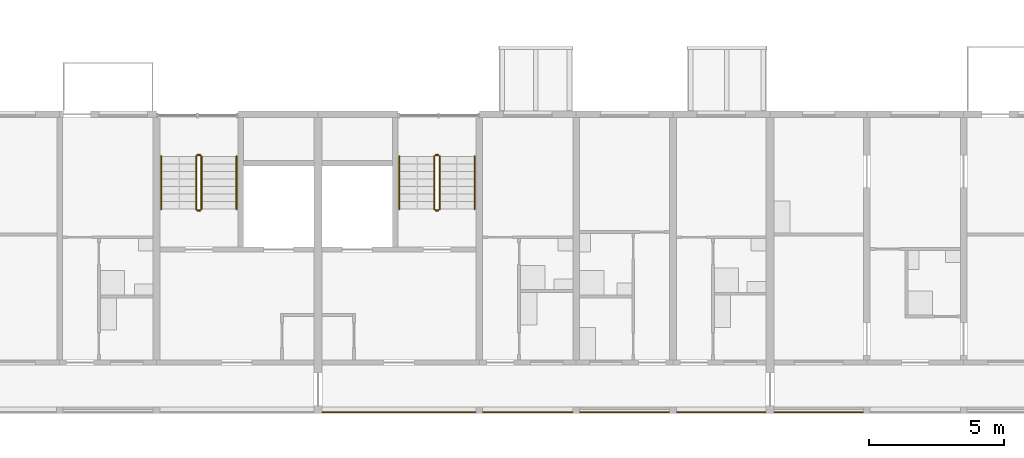
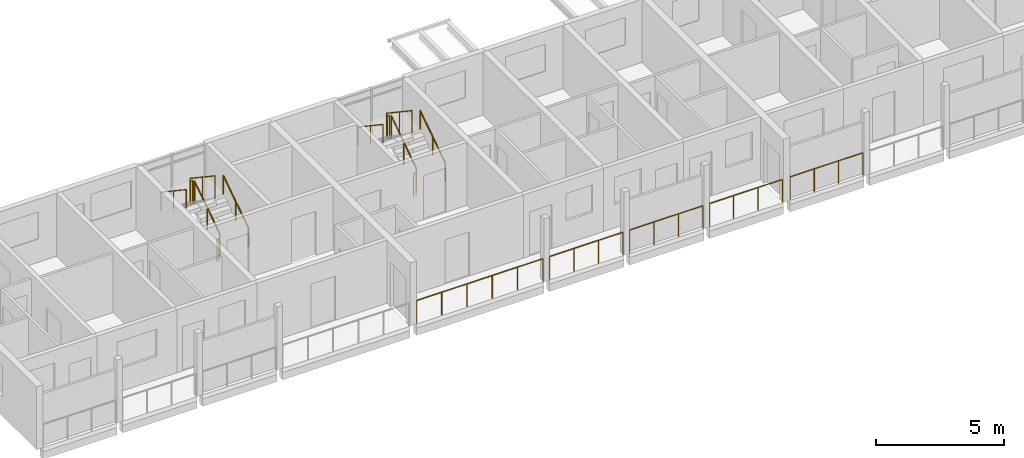
# One storey, part 87 of 98: 17 railings.
"""IFC4 building model written with IfcOpenShell, lengths in metres."""

import ifcopenshell
import ifcopenshell.guid

model = None  # the IFC model being written
_history = None  # IfcOwnerHistory: only IFC2X3 demands one
_inside = {}  # id of a spatial element -> (the spatial element, [elements in it])
_under = {}  # id of a project, library or spatial element -> (it, [spatial elements below it])
_declared = {}  # id of a project -> (the project, [libraries it declares])
_typed = {}  # id of a type object -> (the type object, [elements of that type])
_made_of = {}  # id of a material, layer set ... -> (it, [elements and type objects made of it])


def new_model(schema):
    """Start an empty IFC model of exactly this schema.

    Asked for "IFC4X3", IfcOpenShell would pick the latest addendum, in which some entities
    have other attributes; the version numbers below select the first issue.
    IFC2X3 requires an IfcOwnerHistory on every rooted entity: one is made here for all.
    """
    global model, _history
    if schema == "IFC4X3":
        model = ifcopenshell.file(schema_version=(4, 3, 0, 0))
    else:
        model = ifcopenshell.file(schema=schema)
    _inside.clear()
    _under.clear()
    _declared.clear()
    _typed.clear()
    _made_of.clear()
    _history = None
    if model.schema == "IFC2X3":
        org = make("IfcOrganization", Name="unknown")
        user = make(
            "IfcPersonAndOrganization",
            ThePerson=make("IfcPerson", FamilyName="unknown"),
            TheOrganization=org,
        )
        app = make(
            "IfcApplication",
            ApplicationDeveloper=org,
            Version="unknown",
            ApplicationFullName="unknown",
            ApplicationIdentifier="unknown",
        )
        _history = make(
            "IfcOwnerHistory",
            OwningUser=user,
            OwningApplication=app,
            ChangeAction="ADDED",
            CreationDate=0,
        )
    return model


def make(cls, **values):
    """One entity of the class cls with the attributes given. An attribute that is None is left unset."""
    return model.create_entity(
        cls, **{name: value for name, value in values.items() if value is not None}
    )


def rooted(cls, **values):
    """An entity with a GlobalId (a new one), such as an element, a storey or a relation."""
    return make(cls, GlobalId=ifcopenshell.guid.new(), OwnerHistory=_history, **values)


def si_unit(unit_type, name, prefix=None):
    """IfcSIUnit, for example si_unit("LENGTHUNIT", "METRE", prefix="MILLI")."""
    return make("IfcSIUnit", UnitType=unit_type, Prefix=prefix, Name=name)


def assignment(units):
    """IfcUnitAssignment: the units of a project."""
    return None if units is None else make("IfcUnitAssignment", Units=units)


def point(xyz):
    """IfcCartesianPoint."""
    return None if xyz is None else make("IfcCartesianPoint", Coordinates=xyz)


def direction(xyz):
    """IfcDirection."""
    return None if xyz is None else make("IfcDirection", DirectionRatios=xyz)


def frame(location, z_axis=None, x_axis=None):
    """IfcAxis2Placement3D, a coordinate frame: its origin and axes. An axis left out is left unset."""
    return make(
        "IfcAxis2Placement3D",
        Location=point(location),
        Axis=direction(z_axis),
        RefDirection=direction(x_axis),
    )


def frame_2d(location, x_axis=None):
    """IfcAxis2Placement2D, a coordinate frame in the plane: its origin and x axis."""
    return make(
        "IfcAxis2Placement2D", Location=point(location), RefDirection=direction(x_axis)
    )


def origin():
    """The frame at (0, 0, 0) with its axes left unset."""
    return frame((0.0, 0.0, 0.0))


def origin_2d():
    """The frame at (0, 0) in the plane with its x axis left unset."""
    return frame_2d((0.0, 0.0))


def place(relative_to, where):
    """IfcLocalPlacement: puts the frame where relative to a parent placement (None: the world)."""
    return make(
        "IfcLocalPlacement", PlacementRelTo=relative_to, RelativePlacement=where
    )


def context(
    kind, dimensions, precision=None, world=None, true_north=None, identifier=None
):
    """IfcGeometricRepresentationContext, for example the 3D "Model" context."""
    return make(
        "IfcGeometricRepresentationContext",
        ContextIdentifier=identifier,
        ContextType=kind,
        CoordinateSpaceDimension=dimensions,
        Precision=precision,
        WorldCoordinateSystem=world,
        TrueNorth=true_north,
    )


def subcontext(parent, identifier, kind, view, scale=None):
    """IfcGeometricRepresentationSubContext, for example "Body" below "Model"."""
    return make(
        "IfcGeometricRepresentationSubContext",
        ContextIdentifier=identifier,
        ContextType=kind,
        ParentContext=parent,
        TargetScale=scale,
        TargetView=view,
    )


def project(units=None, contexts=None):
    """IfcProject with its units and contexts."""
    return rooted(
        "IfcProject",
        Name="project",
        RepresentationContexts=contexts,
        UnitsInContext=assignment(units),
    )


def spatial(cls, under=None, at=None, **own):
    """A site, building, storey or space (cls), placed at a placement, below another one or the project."""
    s = rooted(cls, ObjectPlacement=at, **own)
    if under is not None:
        _under.setdefault(under.id(), (under, []))[1].append(s)
    return s


def profile(cls, at=None, kind="AREA", **sizes):
    """A parametric profile (cls). Its sizes go by their IFC names, for example OverallWidth=200.0."""
    return make(cls, ProfileType=kind, Position=at, **sizes)


def circle(**sizes):
    """IfcCircleProfileDef."""
    return profile("IfcCircleProfileDef", **sizes)


def extrude(swept, where, along, depth):
    """IfcExtrudedAreaSolid: the profile swept, set in the frame where, extruded along a direction by depth."""
    return make(
        "IfcExtrudedAreaSolid",
        SweptArea=swept,
        Position=where,
        ExtrudedDirection=direction(along),
        Depth=depth,
    )


def shape(context_of_items, identifier, shape_type, items):
    """IfcShapeRepresentation: the items that make up one representation, for example the "Body"."""
    return make(
        "IfcShapeRepresentation",
        ContextOfItems=context_of_items,
        RepresentationIdentifier=identifier,
        RepresentationType=shape_type,
        Items=items,
    )


def material(Name=None, Category=None):
    """IfcMaterial."""
    return make("IfcMaterial", Name=Name, Category=Category)


def made_of(thing, what):
    """Note that an element or type object is made of a material, layer set ...; save() writes the relation."""
    if what is not None:
        _made_of.setdefault(what.id(), (what, []))[1].append(thing)
    return thing


def type_object(cls, material=None, **own):
    """A type object (cls), such as IfcWallType, which elements share."""
    return made_of(rooted(cls, **own), material)


def element(
    cls,
    number,
    at=None,
    inside=None,
    cuts=None,
    type_object=None,
    material=None,
    context=None,
    identifier="Body",
    shape_type=None,
    held_by="IfcProductDefinitionShape",
    body=None,
    shapes=None,
    **own,
):
    """One element of the class cls, such as IfcWall. Its Tag is "e" and its number.

    at: its placement. inside: the storey or other place that contains it. cuts: it is an
    opening in that element (IfcRelVoidsElement). A single representation is given by context,
    identifier, shape_type and body (its items); several are given by shapes. held_by: the class
    of the entity that holds the representations. save() writes the other relations.
    """
    e = rooted(cls, Tag="e%d" % number, ObjectPlacement=at, **own)
    if body is not None:
        shapes = [shape(context, identifier, shape_type, body)]
    if shapes is not None:
        e.Representation = make(held_by, Representations=shapes)
    if inside is not None:
        _inside.setdefault(inside.id(), (inside, []))[1].append(e)
    if cuts is not None:
        rooted(
            "IfcRelVoidsElement", RelatingBuildingElement=cuts, RelatedOpeningElement=e
        )
    if type_object is not None:
        _typed.setdefault(type_object.id(), (type_object, []))[1].append(e)
    return made_of(e, material)


def aggregate(whole, parts):
    """IfcRelAggregates: a whole, such as a stair, and the parts it consists of."""
    return rooted("IfcRelAggregates", RelatingObject=whole, RelatedObjects=parts)


def save(model, path):
    """Write the relations noted so far, then the file.

    IfcRelAggregates (storeys below a building ...), IfcRelContainedInSpatialStructure (elements
    in a storey), IfcRelDefinesByType, IfcRelAssociatesMaterial and IfcRelDeclares: one each for
    every whole, place, type object, material and project.
    """
    for whole, parts in _under.values():
        aggregate(whole, parts)
    for where, things in _inside.values():
        rooted(
            "IfcRelContainedInSpatialStructure",
            RelatedElements=things,
            RelatingStructure=where,
        )
    for kind, things in _typed.values():
        rooted("IfcRelDefinesByType", RelatedObjects=things, RelatingType=kind)
    for what, things in _made_of.values():
        rooted("IfcRelAssociatesMaterial", RelatedObjects=things, RelatingMaterial=what)
    for by, libraries in _declared.values():
        rooted("IfcRelDeclares", RelatingContext=by, RelatedDefinitions=libraries)
    model.write(path)


model = new_model("IFC4")

# Units and contexts
model_context = context("Model", 3, precision=1e-05, world=origin(), true_north=direction((0.0, 1.0)))
body_context = subcontext(model_context, "Body", "Model", "MODEL_VIEW")
ifc_project = project(units=[si_unit("LENGTHUNIT", "METRE"), si_unit("AREAUNIT", "SQUARE_METRE"), si_unit("VOLUMEUNIT", "CUBIC_METRE"), si_unit("PLANEANGLEUNIT", "RADIAN"), si_unit("MASSUNIT", "GRAM", prefix="KILO")], contexts=[model_context])

# Site, building, storey
site_placement = place(None, origin())
site = spatial("IfcSite", under=ifc_project, at=site_placement, CompositionType="ELEMENT")
building_placement = place(site_placement, origin())
building = spatial("IfcBuilding", under=site, at=building_placement, Name="Ridgestep Commons", CompositionType="ELEMENT")
storey_placement = place(building_placement, frame((0.0, 0.0, 12.0)))
storey = spatial("IfcBuildingStorey", under=building, at=storey_placement, Name="L04", CompositionType="ELEMENT", Elevation=12.0)

# Railings
ifc_material_1 = material(Name="Structural steel S355JR", Category="steel")
railing_type_1 = type_object("IfcRailingType", Name="Guard 1100", PredefinedType="GUARDRAIL", material=ifc_material_1)
railing_1_placement = place(storey_placement, frame((163.77099609375, 11.800048828125, 0.0)))
element("IfcRailing", 1, at=railing_1_placement, inside=storey, type_object=railing_type_1, Name="Gallery guard D 04.5", PredefinedType="GUARDRAIL", context=body_context, shape_type="SweptSolid", body=[
    extrude(circle(Radius=0.02392578125, at=origin_2d()), frame((0.0, 0.0, 1.076171875), z_axis=(1.0, 0.0, 0.0), x_axis=(0.0, 1.0, 0.0)), (0.0, 0.0, 1.0), 5.68310546875),
    extrude(circle(Radius=0.02099609375, at=origin_2d()), origin(), (0.0, 0.0, 1.0), 1.052001953125),
    extrude(circle(Radius=0.02099609375, at=origin_2d()), frame((1.13671875, 0.0, 0.0)), (0.0, 0.0, 1.0), 1.052001953125),
    extrude(circle(Radius=0.02099609375, at=origin_2d()), frame((2.273193359375, 0.0, 0.0)), (0.0, 0.0, 1.0), 1.052001953125),
    extrude(circle(Radius=0.02099609375, at=origin_2d()), frame((3.409912109375, 0.0, 0.0)), (0.0, 0.0, 1.0), 1.052001953125),
    extrude(circle(Radius=0.02099609375, at=origin_2d()), frame((4.54638671875, 0.0, 0.0)), (0.0, 0.0, 1.0), 1.052001953125),
    extrude(circle(Radius=0.02099609375, at=origin_2d()), frame((5.68310546875, 0.0, 0.0)), (0.0, 0.0, 1.0), 1.052001953125),
])
railing_2_placement = place(storey_placement, frame((169.74609375, 11.800048828125, 0.0)))
element("IfcRailing", 2, at=railing_2_placement, inside=storey, type_object=railing_type_1, Name="Gallery guard D 04.6", PredefinedType="GUARDRAIL", context=body_context, shape_type="SweptSolid", body=[
    extrude(circle(Radius=0.02392578125, at=origin_2d()), frame((0.0, 0.0, 1.076171875), z_axis=(1.0, 0.0, 0.0), x_axis=(0.0, 1.0, 0.0)), (0.0, 0.0, 1.0), 3.307861328125),
    extrude(circle(Radius=0.02099609375, at=origin_2d()), origin(), (0.0, 0.0, 1.0), 1.052001953125),
    extrude(circle(Radius=0.02099609375, at=origin_2d()), frame((1.1025390625, 0.0, 0.0)), (0.0, 0.0, 1.0), 1.052001953125),
    extrude(circle(Radius=0.02099609375, at=origin_2d()), frame((2.205322265625, 0.0, 0.0)), (0.0, 0.0, 1.0), 1.052001953125),
    extrude(circle(Radius=0.02099609375, at=origin_2d()), frame((3.307861328125, 0.0, 0.0)), (0.0, 0.0, 1.0), 1.052001953125),
])
railing_3_placement = place(storey_placement, frame((173.345947265625, 11.800048828125, 0.0)))
element("IfcRailing", 3, at=railing_3_placement, inside=storey, type_object=railing_type_1, Name="Gallery guard D 04.7", PredefinedType="GUARDRAIL", context=body_context, shape_type="SweptSolid", body=[
    extrude(circle(Radius=0.02392578125, at=origin_2d()), frame((0.0, 0.0, 1.076171875), z_axis=(1.0, 0.0, 0.0), x_axis=(0.0, 1.0, 0.0)), (0.0, 0.0, 1.0), 3.30810546875),
    extrude(circle(Radius=0.02099609375, at=origin_2d()), origin(), (0.0, 0.0, 1.0), 1.052001953125),
    extrude(circle(Radius=0.02099609375, at=origin_2d()), frame((1.102783203125, 0.0, 0.0)), (0.0, 0.0, 1.0), 1.052001953125),
    extrude(circle(Radius=0.02099609375, at=origin_2d()), frame((2.205322265625, 0.0, 0.0)), (0.0, 0.0, 1.0), 1.052001953125),
    extrude(circle(Radius=0.02099609375, at=origin_2d()), frame((3.30810546875, 0.0, 0.0)), (0.0, 0.0, 1.0), 1.052001953125),
])
for number, where, name in (
    (4, (176.946044921875, 11.800048828125, 0.0), "Gallery guard D 04.8"),
    (5, (180.571044921875, 11.800048828125, 0.0), "Gallery guard D 04.9"),
):
    element("IfcRailing", number, at=place(storey_placement, frame(where)), inside=storey, type_object=railing_type_1, Name=name, PredefinedType="GUARDRAIL", context=body_context, shape_type="SweptSolid", body=[
        extrude(circle(Radius=0.02392578125, at=origin_2d()), frame((0.0, 0.0, 1.076171875), z_axis=(1.0, 0.0, 0.0), x_axis=(0.0, 1.0, 0.0)), (0.0, 0.0, 1.0), 3.282958984375),
        extrude(circle(Radius=0.02099609375, at=origin_2d()), origin(), (0.0, 0.0, 1.0), 1.052001953125),
        extrude(circle(Radius=0.02099609375, at=origin_2d()), frame((1.09423828125, 0.0, 0.0)), (0.0, 0.0, 1.0), 1.052001953125),
        extrude(circle(Radius=0.02099609375, at=origin_2d()), frame((2.188720703125, 0.0, 0.0)), (0.0, 0.0, 1.0), 1.052001953125),
        extrude(circle(Radius=0.02099609375, at=origin_2d()), frame((3.282958984375, 0.0, 0.0)), (0.0, 0.0, 1.0), 1.052001953125),
    ])
ifc_material_2 = material(Name="Structural steel S355JR", Category="steel")
railing_type_2 = type_object("IfcRailingType", Name="Stair guard 1100", PredefinedType="GUARDRAIL", material=ifc_material_2)
railing_4_placement = place(storey_placement, frame((159.27490234375, 19.35009765625, 0.1875)))
element("IfcRailing", 6, at=railing_4_placement, inside=storey, type_object=railing_type_2, Name="L04 D1C stair guard 1", PredefinedType="GUARDRAIL", context=body_context, shape_type="SweptSolid", body=[
    extrude(circle(Radius=0.02392578125, at=origin_2d()), frame((0.0, 0.0, 1.076171875), z_axis=(0.0, 0.830902050051, 0.556418712142), x_axis=(-1.0, 0.0, 0.0)), (0.0, 0.0, 1.0), 2.35888671875),
    extrude(circle(Radius=0.02099609375, at=origin_2d()), origin(), (0.0, 0.0, 1.0), 1.052001953125),
    extrude(circle(Radius=0.02099609375, at=origin_2d()), frame((0.0, 0.97998046875, 0.65625)), (0.0, 0.0, 1.0), 1.052001953125),
    extrude(circle(Radius=0.02099609375, at=origin_2d()), frame((0.0, 1.9599609375, 1.3125)), (0.0, 0.0, 1.0), 1.052001953125),
])
railing_5_placement = place(storey_placement, frame((159.22509765625, 21.360107421875, 1.5)))
element("IfcRailing", 7, at=railing_5_placement, inside=storey, type_object=railing_type_2, Name="L04 D1C stair guard 2", PredefinedType="GUARDRAIL", context=body_context, shape_type="SweptSolid", body=[
    extrude(circle(Radius=0.02392578125, at=origin_2d()), frame((0.0, 0.0, 1.076171875), z_axis=(-1.0, 0.0, 0.0), x_axis=(0.0, -1.0, 0.0)), (0.0, 0.0, 1.0), 0.10009765625),
    extrude(circle(Radius=0.02099609375, at=origin_2d()), origin(), (0.0, 0.0, 1.0), 1.052001953125),
    extrude(circle(Radius=0.02099609375, at=origin_2d()), frame((-0.10009765625, 0.0, 0.0)), (0.0, 0.0, 1.0), 1.052001953125),
])
railing_6_placement = place(storey_placement, frame((159.074951171875, 21.31005859375, 1.6875)))
element("IfcRailing", 8, at=railing_6_placement, inside=storey, type_object=railing_type_2, Name="L04 D1C stair guard 3", PredefinedType="GUARDRAIL", context=body_context, shape_type="SweptSolid", body=[
    extrude(circle(Radius=0.02392578125, at=origin_2d()), frame((0.0, 0.0, 1.076171875), z_axis=(0.0, -0.830902050051, 0.556418712142), x_axis=(1.0, 0.0, 0.0)), (0.0, 0.0, 1.0), 2.35888671875),
    extrude(circle(Radius=0.02099609375, at=origin_2d()), origin(), (0.0, 0.0, 1.0), 1.052001953125),
    extrude(circle(Radius=0.02099609375, at=origin_2d()), frame((0.0, -0.97998046875, 0.65625)), (0.0, 0.0, 1.0), 1.052001953125),
    extrude(circle(Radius=0.02099609375, at=origin_2d()), frame((0.0, -1.9599609375, 1.3125)), (0.0, 0.0, 1.0), 1.052001953125),
])
railing_7_placement = place(storey_placement, frame((159.22509765625, 19.300048828125, 0.0)))
element("IfcRailing", 9, at=railing_7_placement, inside=storey, type_object=railing_type_2, Name="L04 D1C stair guard 4", PredefinedType="GUARDRAIL", context=body_context, shape_type="SweptSolid", body=[
    extrude(circle(Radius=0.02392578125, at=origin_2d()), frame((0.0, 0.0, 1.076171875), z_axis=(-1.0, 0.0, 0.0), x_axis=(0.0, -1.0, 0.0)), (0.0, 0.0, 1.0), 0.10009765625),
    extrude(circle(Radius=0.02099609375, at=origin_2d()), origin(), (0.0, 0.0, 1.0), 1.052001953125),
    extrude(circle(Radius=0.02099609375, at=origin_2d()), frame((-0.10009765625, 0.0, 0.0)), (0.0, 0.0, 1.0), 1.052001953125),
])
railing_8_placement = place(storey_placement, frame((168.125, 19.35009765625, 0.1875)))
element("IfcRailing", 10, at=railing_8_placement, inside=storey, type_object=railing_type_2, Name="L04 D2C stair guard 1", PredefinedType="GUARDRAIL", context=body_context, shape_type="SweptSolid", body=[
    extrude(circle(Radius=0.02392578125, at=origin_2d()), frame((0.0, 0.0, 1.076171875), z_axis=(0.0, 0.830902050051, 0.556418712142), x_axis=(-1.0, 0.0, 0.0)), (0.0, 0.0, 1.0), 2.35888671875),
    extrude(circle(Radius=0.02099609375, at=origin_2d()), origin(), (0.0, 0.0, 1.0), 1.052001953125),
    extrude(circle(Radius=0.02099609375, at=origin_2d()), frame((0.0, 0.97998046875, 0.65625)), (0.0, 0.0, 1.0), 1.052001953125),
    extrude(circle(Radius=0.02099609375, at=origin_2d()), frame((0.0, 1.9599609375, 1.3125)), (0.0, 0.0, 1.0), 1.052001953125),
])
railing_9_placement = place(storey_placement, frame((168.074951171875, 21.360107421875, 1.5)))
element("IfcRailing", 11, at=railing_9_placement, inside=storey, type_object=railing_type_2, Name="L04 D2C stair guard 2", PredefinedType="GUARDRAIL", context=body_context, shape_type="SweptSolid", body=[
    extrude(circle(Radius=0.02392578125, at=origin_2d()), frame((0.0, 0.0, 1.076171875), z_axis=(-1.0, 0.0, 0.0), x_axis=(0.0, -1.0, 0.0)), (0.0, 0.0, 1.0), 0.099853515625),
    extrude(circle(Radius=0.02099609375, at=origin_2d()), origin(), (0.0, 0.0, 1.0), 1.052001953125),
    extrude(circle(Radius=0.02099609375, at=origin_2d()), frame((-0.099853515625, 0.0, 0.0)), (0.0, 0.0, 1.0), 1.052001953125),
])
railing_10_placement = place(storey_placement, frame((167.925048828125, 21.31005859375, 1.6875)))
element("IfcRailing", 12, at=railing_10_placement, inside=storey, type_object=railing_type_2, Name="L04 D2C stair guard 3", PredefinedType="GUARDRAIL", context=body_context, shape_type="SweptSolid", body=[
    extrude(circle(Radius=0.02392578125, at=origin_2d()), frame((0.0, 0.0, 1.076171875), z_axis=(0.0, -0.830902050051, 0.556418712142), x_axis=(1.0, 0.0, 0.0)), (0.0, 0.0, 1.0), 2.35888671875),
    extrude(circle(Radius=0.02099609375, at=origin_2d()), origin(), (0.0, 0.0, 1.0), 1.052001953125),
    extrude(circle(Radius=0.02099609375, at=origin_2d()), frame((0.0, -0.97998046875, 0.65625)), (0.0, 0.0, 1.0), 1.052001953125),
    extrude(circle(Radius=0.02099609375, at=origin_2d()), frame((0.0, -1.9599609375, 1.3125)), (0.0, 0.0, 1.0), 1.052001953125),
])
railing_11_placement = place(storey_placement, frame((168.074951171875, 19.300048828125, 0.0)))
element("IfcRailing", 13, at=railing_11_placement, inside=storey, type_object=railing_type_2, Name="L04 D2C stair guard 4", PredefinedType="GUARDRAIL", context=body_context, shape_type="SweptSolid", body=[
    extrude(circle(Radius=0.02392578125, at=origin_2d()), frame((0.0, 0.0, 1.076171875), z_axis=(-1.0, 0.0, 0.0), x_axis=(0.0, -1.0, 0.0)), (0.0, 0.0, 1.0), 0.099853515625),
    extrude(circle(Radius=0.02099609375, at=origin_2d()), origin(), (0.0, 0.0, 1.0), 1.052001953125),
    extrude(circle(Radius=0.02099609375, at=origin_2d()), frame((-0.099853515625, 0.0, 0.0)), (0.0, 0.0, 1.0), 1.052001953125),
])
ifc_material_3 = material(Name="Structural steel S355JR", Category="steel")
railing_type_3 = type_object("IfcRailingType", Name="Stair handrail 900", PredefinedType="HANDRAIL", material=ifc_material_3)
railing_12_placement = place(storey_placement, frame((160.574951171875, 19.35009765625, 0.1875)))
element("IfcRailing", 14, at=railing_12_placement, inside=storey, type_object=railing_type_3, Name="L04 D1C stair handrail 1", PredefinedType="HANDRAIL", context=body_context, shape_type="SweptSolid", body=[
    extrude(circle(Radius=0.02392578125, at=origin_2d()), frame((0.0, 0.0, 0.8759765625), z_axis=(0.0, 0.830902050051, 0.556418712142), x_axis=(-1.0, 0.0, 0.0)), (0.0, 0.0, 1.0), 2.35888671875),
    extrude(circle(Radius=0.02099609375, at=origin_2d()), origin(), (0.0, 0.0, 1.0), 0.851806640625),
    extrude(circle(Radius=0.02099609375, at=origin_2d()), frame((0.0, 0.97998046875, 0.65625)), (0.0, 0.0, 1.0), 0.851806640625),
    extrude(circle(Radius=0.02099609375, at=origin_2d()), frame((0.0, 1.9599609375, 1.3125)), (0.0, 0.0, 1.0), 0.851806640625),
])
railing_13_placement = place(storey_placement, frame((157.77490234375, 21.31005859375, 1.6875)))
element("IfcRailing", 15, at=railing_13_placement, inside=storey, type_object=railing_type_3, Name="L04 D1C stair handrail 2", PredefinedType="HANDRAIL", context=body_context, shape_type="SweptSolid", body=[
    extrude(circle(Radius=0.02392578125, at=origin_2d()), frame((0.0, 0.0, 0.8759765625), z_axis=(0.0, -0.830902050051, 0.556418712142), x_axis=(1.0, 0.0, 0.0)), (0.0, 0.0, 1.0), 2.35888671875),
    extrude(circle(Radius=0.02099609375, at=origin_2d()), origin(), (0.0, 0.0, 1.0), 0.851806640625),
    extrude(circle(Radius=0.02099609375, at=origin_2d()), frame((0.0, -0.97998046875, 0.65625)), (0.0, 0.0, 1.0), 0.851806640625),
    extrude(circle(Radius=0.02099609375, at=origin_2d()), frame((0.0, -1.9599609375, 1.3125)), (0.0, 0.0, 1.0), 0.851806640625),
])
railing_14_placement = place(storey_placement, frame((169.425048828125, 19.35009765625, 0.1875)))
element("IfcRailing", 16, at=railing_14_placement, inside=storey, type_object=railing_type_3, Name="L04 D2C stair handrail 1", PredefinedType="HANDRAIL", context=body_context, shape_type="SweptSolid", body=[
    extrude(circle(Radius=0.02392578125, at=origin_2d()), frame((0.0, 0.0, 0.8759765625), z_axis=(0.0, 0.830902050051, 0.556418712142), x_axis=(-1.0, 0.0, 0.0)), (0.0, 0.0, 1.0), 2.35888671875),
    extrude(circle(Radius=0.02099609375, at=origin_2d()), origin(), (0.0, 0.0, 1.0), 0.851806640625),
    extrude(circle(Radius=0.02099609375, at=origin_2d()), frame((0.0, 0.97998046875, 0.65625)), (0.0, 0.0, 1.0), 0.851806640625),
    extrude(circle(Radius=0.02099609375, at=origin_2d()), frame((0.0, 1.9599609375, 1.3125)), (0.0, 0.0, 1.0), 0.851806640625),
])
railing_15_placement = place(storey_placement, frame((166.625, 21.31005859375, 1.6875)))
element("IfcRailing", 17, at=railing_15_placement, inside=storey, type_object=railing_type_3, Name="L04 D2C stair handrail 2", PredefinedType="HANDRAIL", context=body_context, shape_type="SweptSolid", body=[
    extrude(circle(Radius=0.02392578125, at=origin_2d()), frame((0.0, 0.0, 0.8759765625), z_axis=(0.0, -0.830902050051, 0.556418712142), x_axis=(1.0, 0.0, 0.0)), (0.0, 0.0, 1.0), 2.35888671875),
    extrude(circle(Radius=0.02099609375, at=origin_2d()), origin(), (0.0, 0.0, 1.0), 0.851806640625),
    extrude(circle(Radius=0.02099609375, at=origin_2d()), frame((0.0, -0.97998046875, 0.65625)), (0.0, 0.0, 1.0), 0.851806640625),
    extrude(circle(Radius=0.02099609375, at=origin_2d()), frame((0.0, -1.9599609375, 1.3125)), (0.0, 0.0, 1.0), 0.851806640625),
])

save(model, "model.ifc")
